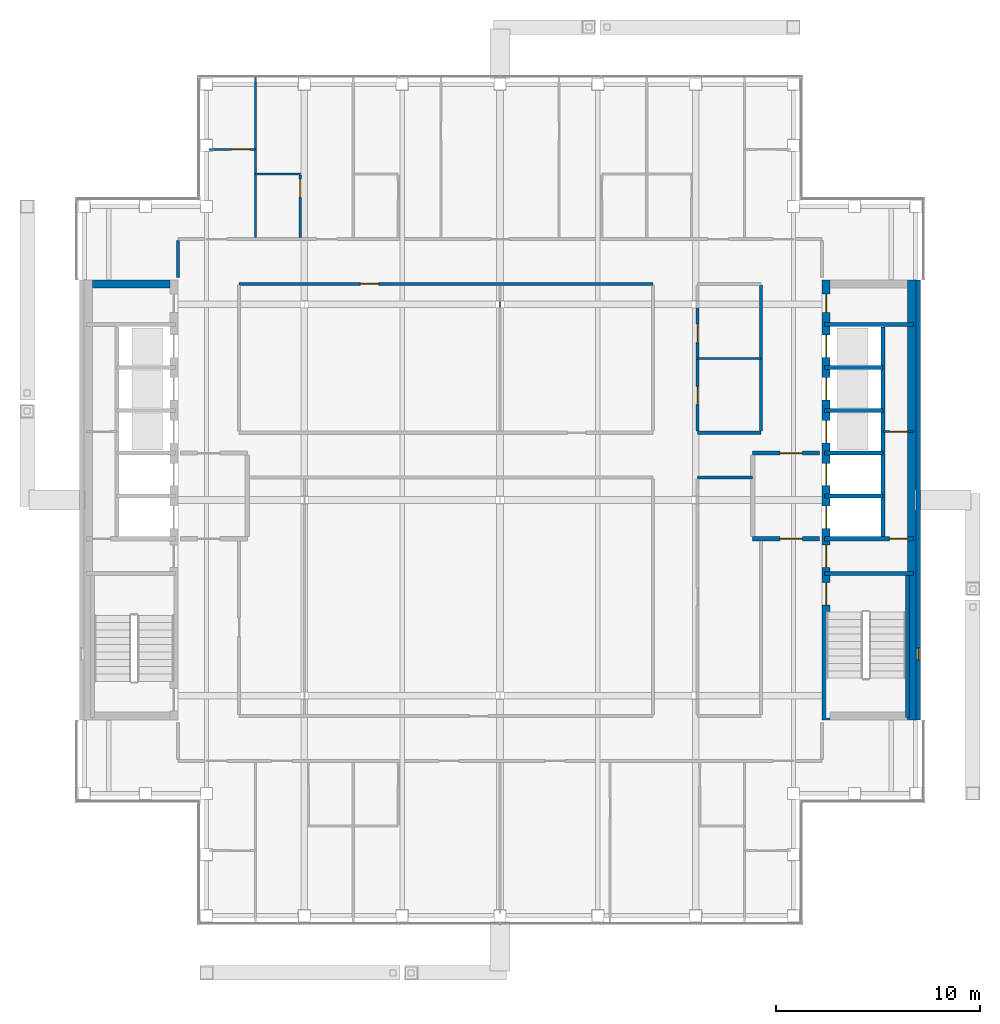
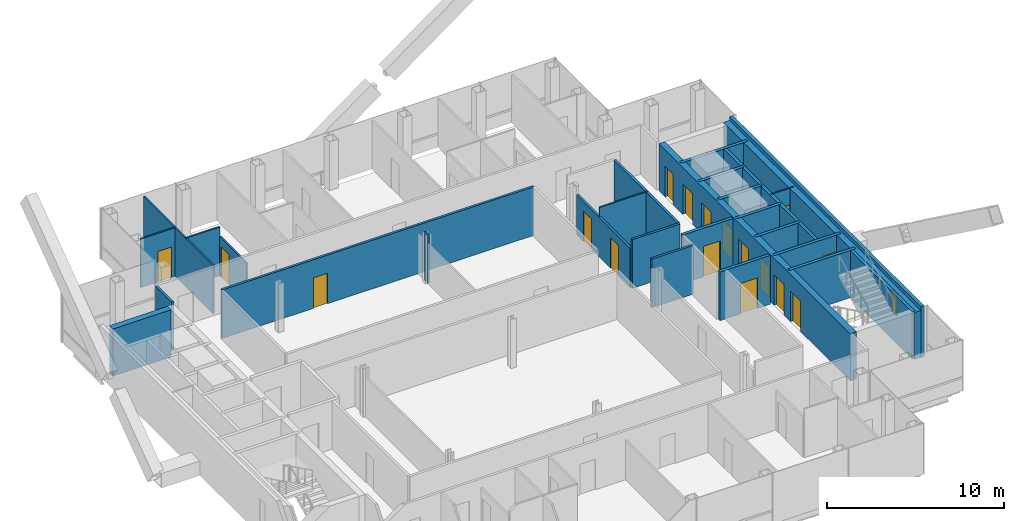
# One storey, part 12 of 15: 28 walls, 17 doors, 1 window, 18 openings.
"""IFC4 building model written with IfcOpenShell, lengths in metres."""

from ifc_helpers import new_model, si_unit, direction, frame, frame_2d, origin, place, context, subcontext, project, spatial, rectangle, extrude, material, layer, layer_set, type_object, element, fill, save


model = new_model("IFC4")

# Units and contexts
model_context = context("Model", 3, precision=1e-05, world=origin(), true_north=direction((0.0, 1.0)))
body_context = subcontext(model_context, "Body", "Model", "MODEL_VIEW")
ifc_project = project(units=[si_unit("LENGTHUNIT", "METRE"), si_unit("AREAUNIT", "SQUARE_METRE"), si_unit("VOLUMEUNIT", "CUBIC_METRE"), si_unit("PLANEANGLEUNIT", "RADIAN"), si_unit("MASSUNIT", "GRAM", prefix="KILO")], contexts=[model_context])

# Site, building, storey
site_placement = place(None, origin())
site = spatial("IfcSite", under=ifc_project, at=site_placement, CompositionType="ELEMENT")
building_placement = place(site_placement, origin())
building = spatial("IfcBuilding", under=site, at=building_placement, Name="Cobrizo Arcos Hotel Tower", CompositionType="ELEMENT")
storey_placement = place(building_placement, frame((0.0, 0.0, 244.5)))
storey = spatial("IfcBuildingStorey", under=building, at=storey_placement, Name="L64", CompositionType="ELEMENT", Elevation=244.5)

# Walls
ifc_material_1 = material(Name="Gypsum board partition")
ifc_layer_1 = layer(ifc_material_1, 0.14990234375)
ifc_layer_set_1 = layer_set([ifc_layer_1], Name="Corridor wall EI 60 150")
wall_type_1 = type_object("IfcWallType", Name="Corridor wall EI 60 150", PredefinedType="PARTITIONING", material=ifc_layer_set_1)
wall_1_placement = place(storey_placement, frame((9.699951171875, 1.10009765625, 0.0), z_axis=(0.0, 0.0, 1.0), x_axis=(1.0, 0.0, 0.0)))
element("IfcWall", 1, at=wall_1_placement, inside=storey, type_object=wall_type_1, Name="Partition 017", PredefinedType="PARTITIONING", context=body_context, shape_type="SweptSolid", body=[
    extrude(rectangle(XDim=2.699951171875, YDim=0.14990234375, at=frame_2d((1.35009765625, 0.0))), origin(), (0.0, 0.0, 1.0), 3.35009765625),
])
wall_2_placement = place(storey_placement, frame((9.699951171875, 3.300048828125, 0.0), z_axis=(0.0, 0.0, 1.0), x_axis=(1.0, 0.0, 0.0)))
element("IfcWall", 2, at=wall_2_placement, inside=storey, type_object=wall_type_1, Name="Partition 023", PredefinedType="PARTITIONING", context=body_context, shape_type="SweptSolid", body=[
    extrude(rectangle(XDim=3.10009765625, YDim=0.14990234375, at=frame_2d((1.550048828125, 0.0))), origin(), (0.0, 0.0, 1.0), 3.35009765625),
])

# Wall, opening, door
wall_3_placement = place(storey_placement, frame((-12.800048828125, 10.60009765625, 0.0), z_axis=(0.0, 0.0, 1.0), x_axis=(1.0, 0.0, 0.0)))
wall_3 = element("IfcWall", 3, at=wall_3_placement, inside=storey, type_object=wall_type_1, Name="Partition 033", PredefinedType="PARTITIONING", context=body_context, shape_type="SweptSolid", body=[
    extrude(rectangle(XDim=20.300048828125, YDim=0.14990234375, at=frame_2d((10.14990234375, 0.0))), origin(), (0.0, 0.0, 1.0), 3.35009765625),
])
opening_1_placement = place(wall_3_placement, frame((5.949951171875, 0.0, 0.0)))
opening_1 = element("IfcOpeningElement", 4, at=opening_1_placement, cuts=wall_3, Name="Opening RD-14", PredefinedType="OPENING", context=body_context, shape_type="SweptSolid", body=[
    extrude(rectangle(XDim=0.89990234375, YDim=2.10009765625, at=frame_2d((0.449951171875, 1.050048828125))), frame((0.0, 0.0869140625, 0.0), z_axis=(0.0, -1.0, 0.0), x_axis=(1.0, 0.0, 0.0)), (0.0, 0.0, 1.0), 0.173828125),
])
ifc_material_2 = material(Name="Timber door leaf", Category="wood")
door_type_1 = type_object("IfcDoorType", Name="Room door FD30 900x2100", OperationType="SINGLE_SWING_LEFT", PredefinedType="DOOR", material=ifc_material_2)
door_1_placement = place(opening_1_placement, origin())
door_1 = element("IfcDoor", 5, at=door_1_placement, inside=storey, type_object=door_type_1, Name="Door RD-14", OperationType="SINGLE_SWING_LEFT", OverallHeight=2.10009765625, OverallWidth=0.89990234375, PredefinedType="DOOR", context=body_context, shape_type="SweptSolid", body=[
    extrude(rectangle(XDim=0.89990234375, YDim=2.10009765625, at=frame_2d((0.449951171875, 1.050048828125))), frame((0.0, 0.02490234375, 0.0), z_axis=(0.0, -1.0, 0.0), x_axis=(1.0, 0.0, 0.0)), (0.0, 0.0, 1.0), 0.050048828125),
])
fill(opening_1, door_1)

# Wall
wall_4_placement = place(storey_placement, frame((-15.800048828125, 10.919921875, 0.0), z_axis=(0.0, 0.0, 1.0), x_axis=(0.0, 1.0, 0.0)))
element("IfcWall", 6, at=wall_4_placement, inside=storey, type_object=wall_type_1, Name="Partition 044", PredefinedType="PARTITIONING", context=body_context, shape_type="SweptSolid", body=[
    extrude(rectangle(XDim=1.80517578125, YDim=0.14990234375, at=frame_2d((0.902587890625, 0.0))), origin(), (0.0, 0.0, 1.0), 3.35009765625),
])

# Wall, openings, doors
wall_5_placement = place(storey_placement, frame((9.699951171875, 3.375, 0.0), z_axis=(0.0, 0.0, 1.0), x_axis=(0.0, 1.0, 0.0)))
wall_5 = element("IfcWall", 7, at=wall_5_placement, inside=storey, type_object=wall_type_1, Name="Partition 080", PredefinedType="PARTITIONING", context=body_context, shape_type="SweptSolid", body=[
    extrude(rectangle(XDim=6.041015625, YDim=0.14990234375, at=frame_2d((3.0205078125, 0.0))), origin(), (0.0, 0.0, 1.0), 2.72802734375),
])
opening_2_placement = place(wall_5_placement, frame((1.300048828125, 0.0, 0.0)))
opening_2 = element("IfcOpeningElement", 8, at=opening_2_placement, cuts=wall_5, Name="Opening ED-12", PredefinedType="OPENING", context=body_context, shape_type="SweptSolid", body=[
    extrude(rectangle(XDim=0.89990234375, YDim=2.10009765625, at=frame_2d((0.449951171875, 1.050048828125))), frame((0.0, 0.0869140625, 0.0), z_axis=(0.0, -1.0, 0.0), x_axis=(1.0, 0.0, 0.0)), (0.0, 0.0, 1.0), 0.173828125),
])
opening_3_placement = place(wall_5_placement, frame((4.35009765625, 0.0, 0.0)))
opening_3 = element("IfcOpeningElement", 9, at=opening_3_placement, cuts=wall_5, Name="Opening ED-13", PredefinedType="OPENING", context=body_context, shape_type="SweptSolid", body=[
    extrude(rectangle(XDim=0.89990234375, YDim=2.10009765625, at=frame_2d((0.449951171875, 1.050048828125))), frame((0.0, 0.0869140625, 0.0), z_axis=(0.0, -1.0, 0.0), x_axis=(1.0, 0.0, 0.0)), (0.0, 0.0, 1.0), 0.173828125),
])
door_type_2 = type_object("IfcDoorType", Name="En-suite door 900x2100", OperationType="SINGLE_SWING_LEFT", PredefinedType="DOOR", material=ifc_material_2)
door_2_placement = place(opening_2_placement, origin())
door_2 = element("IfcDoor", 10, at=door_2_placement, inside=storey, type_object=door_type_2, Name="Door ED-12", OperationType="SINGLE_SWING_LEFT", OverallHeight=2.10009765625, OverallWidth=0.89990234375, PredefinedType="DOOR", context=body_context, shape_type="SweptSolid", body=[
    extrude(rectangle(XDim=0.89990234375, YDim=2.10009765625, at=frame_2d((0.449951171875, 1.050048828125))), frame((0.0, 0.02490234375, 0.0), z_axis=(0.0, -1.0, 0.0), x_axis=(1.0, 0.0, 0.0)), (0.0, 0.0, 1.0), 0.050048828125),
])
fill(opening_2, door_2)
door_3_placement = place(opening_3_placement, origin())
door_3 = element("IfcDoor", 11, at=door_3_placement, inside=storey, type_object=door_type_2, Name="Door ED-13", OperationType="SINGLE_SWING_RIGHT", OverallHeight=2.10009765625, OverallWidth=0.89990234375, PredefinedType="DOOR", context=body_context, shape_type="SweptSolid", body=[
    extrude(rectangle(XDim=0.89990234375, YDim=2.10009765625, at=frame_2d((0.449951171875, 1.050048828125))), frame((0.0, 0.02490234375, 0.0), z_axis=(0.0, -1.0, 0.0), x_axis=(1.0, 0.0, 0.0)), (0.0, 0.0, 1.0), 0.050048828125),
])
fill(opening_3, door_3)

# Wall
wall_6_placement = place(storey_placement, frame((12.800048828125, 3.375, 0.0), z_axis=(0.0, 0.0, 1.0), x_axis=(0.0, 1.0, 0.0)))
element("IfcWall", 12, at=wall_6_placement, inside=storey, type_object=wall_type_1, Name="Partition 088", PredefinedType="PARTITIONING", context=body_context, shape_type="SweptSolid", body=[
    extrude(rectangle(XDim=7.175048828125, YDim=0.14990234375, at=frame_2d((3.58740234375, 0.0))), origin(), (0.0, 0.0, 1.0), 3.35009765625),
])

# Wall, opening, window
ifc_material_3 = material(Name="Aluminium composite panel pale metal", Category="aluminium")
ifc_layer_2 = layer(ifc_material_3, 0.22509765625)
ifc_layer_set_2 = layer_set([ifc_layer_2], Name="EW-1 insulated panel wall 225")
wall_type_2 = type_object("IfcWallType", Name="EW-1 insulated panel wall 225", PredefinedType="SOLIDWALL", material=ifc_layer_set_2)
wall_7_placement = place(storey_placement, frame((20.512451171875, -10.800048828125, 0.0), z_axis=(0.0, 0.0, 1.0), x_axis=(0.0, 1.0, 0.0)))
wall_7 = element("IfcWall", 13, at=wall_7_placement, inside=storey, type_object=wall_type_2, Name="Core face wall L64 E", PredefinedType="SOLIDWALL", context=body_context, shape_type="SweptSolid", body=[
    extrude(rectangle(XDim=21.60009765625, YDim=0.22509765625, at=frame_2d((10.800048828125, 0.0))), origin(), (0.0, 0.0, 1.0), 3.5),
])
opening_4_placement = place(wall_7_placement, frame((2.949951171875, 0.0, 1.0)))
opening_4 = element("IfcOpeningElement", 14, at=opening_4_placement, cuts=wall_7, Name="Opening W-147", PredefinedType="OPENING", context=body_context, shape_type="SweptSolid", body=[
    extrude(rectangle(XDim=0.60009765625, YDim=1.5, at=frame_2d((0.300048828125, 0.75))), frame((0.0, 0.12451171875, 0.0), z_axis=(0.0, -1.0, 0.0), x_axis=(1.0, 0.0, 0.0)), (0.0, 0.0, 1.0), 0.2490234375),
])
ifc_material_4 = material(Name="Aluminium 6063-T6 and clear laminated glass", Category="aluminium")
window_type = type_object("IfcWindowType", Name="W-C1 core stair slot window 600x1500", PartitioningType="SINGLE_PANEL", PredefinedType="WINDOW", material=ifc_material_4)
window_placement = place(opening_4_placement, origin())
window = element("IfcWindow", 15, at=window_placement, inside=storey, type_object=window_type, Name="Core face wall L64 E window W-147", OverallHeight=1.5, OverallWidth=0.60009765625, PartitioningType="SINGLE_PANEL", PredefinedType="WINDOW", context=body_context, shape_type="SweptSolid", body=[
    extrude(rectangle(XDim=0.60009765625, YDim=1.5, at=frame_2d((0.300048828125, 0.75))), frame((0.0, -0.0224609375, 0.0), z_axis=(0.0, -1.0, 0.0), x_axis=(1.0, 0.0, 0.0)), (0.0, 0.0, 1.0), 0.06005859375),
])
fill(opening_4, window)

# Wall, opening, door
ifc_layer_3 = layer(ifc_material_1, 0.10009765625)
ifc_layer_set_3 = layer_set([ifc_layer_3], Name="Partition EI 30 100")
wall_type_3 = type_object("IfcWallType", Name="Partition EI 30 100", PredefinedType="PARTITIONING", material=ifc_layer_set_3)
wall_8_placement = place(storey_placement, frame((18.800048828125, 3.35009765625, 0.0), z_axis=(0.0, 0.0, 1.0), x_axis=(1.0, 0.0, 0.0)))
wall_8 = element("IfcWall", 16, at=wall_8_placement, inside=storey, type_object=wall_type_3, Name="Partition 025", PredefinedType="PARTITIONING", context=body_context, shape_type="SweptSolid", body=[
    extrude(rectangle(XDim=1.47998046875, YDim=0.10009765625, at=frame_2d((0.739990234375, 0.0))), origin(), (0.0, 0.0, 1.0), 3.25),
])
opening_5_placement = place(wall_8_placement, frame((0.300048828125, 0.0, 0.0)))
opening_5 = element("IfcOpeningElement", 17, at=opening_5_placement, cuts=wall_8, Name="Opening RD-06", PredefinedType="OPENING", context=body_context, shape_type="SweptSolid", body=[
    extrude(rectangle(XDim=0.89990234375, YDim=2.10009765625, at=frame_2d((0.449951171875, 1.050048828125))), frame((0.0, 0.06201171875, 0.0), z_axis=(0.0, -1.0, 0.0), x_axis=(1.0, 0.0, 0.0)), (0.0, 0.0, 1.0), 0.1240234375),
])
door_4_placement = place(opening_5_placement, origin())
door_4 = element("IfcDoor", 18, at=door_4_placement, inside=storey, type_object=door_type_1, Name="Door RD-06", OperationType="SINGLE_SWING_RIGHT", OverallHeight=2.10009765625, OverallWidth=0.89990234375, PredefinedType="DOOR", context=body_context, shape_type="SweptSolid", body=[
    extrude(rectangle(XDim=0.89990234375, YDim=2.10009765625, at=frame_2d((0.449951171875, 1.050048828125))), frame((0.0, 0.02490234375, 0.0), z_axis=(0.0, -1.0, 0.0), x_axis=(1.0, 0.0, 0.0)), (0.0, 0.0, 1.0), 0.050048828125),
])
fill(opening_5, door_4)

# Walls
wall_9_placement = place(storey_placement, frame((9.699951171875, 6.949951171875, 0.0), z_axis=(0.0, 0.0, 1.0), x_axis=(1.0, 0.0, 0.0)))
element("IfcWall", 19, at=wall_9_placement, inside=storey, type_object=wall_type_3, Name="Partition 030", PredefinedType="PARTITIONING", context=body_context, shape_type="SweptSolid", body=[
    extrude(rectangle(XDim=3.10009765625, YDim=0.10009765625, at=frame_2d((1.550048828125, 0.0))), origin(), (0.0, 0.0, 1.0), 3.35009765625),
])
wall_10_placement = place(storey_placement, frame((-12.0, 16.0, 0.0), z_axis=(0.0, 0.0, 1.0), x_axis=(1.0, 0.0, 0.0)))
element("IfcWall", 20, at=wall_10_placement, inside=storey, type_object=wall_type_3, Name="Partition 036", PredefinedType="PARTITIONING", context=body_context, shape_type="SweptSolid", body=[
    extrude(rectangle(XDim=2.199951171875, YDim=0.10009765625, at=frame_2d((1.10009765625, 0.0))), origin(), (0.0, 0.0, 1.0), 3.35009765625),
])

# Wall, opening, door
wall_11_placement = place(storey_placement, frame((-14.280029296875, 17.199951171875, 0.0), z_axis=(0.0, 0.0, 1.0), x_axis=(1.0, 0.0, 0.0)))
wall_11 = element("IfcWall", 21, at=wall_11_placement, inside=storey, type_object=wall_type_3, Name="Partition 039", PredefinedType="PARTITIONING", context=body_context, shape_type="SweptSolid", body=[
    extrude(rectangle(XDim=2.280029296875, YDim=0.10009765625, at=frame_2d((1.14013671875, 0.0))), origin(), (0.0, 0.0, 1.0), 3.35009765625),
])
opening_6_placement = place(wall_11_placement, frame((1.110107421875, 0.0, 0.0)))
opening_6 = element("IfcOpeningElement", 22, at=opening_6_placement, cuts=wall_11, Name="Opening ED-09", PredefinedType="OPENING", context=body_context, shape_type="SweptSolid", body=[
    extrude(rectangle(XDim=0.89990234375, YDim=2.10009765625, at=frame_2d((0.449951171875, 1.050048828125))), frame((0.0, 0.06201171875, 0.0), z_axis=(0.0, -1.0, 0.0), x_axis=(1.0, 0.0, 0.0)), (0.0, 0.0, 1.0), 0.1240234375),
])
door_5_placement = place(opening_6_placement, origin())
door_5 = element("IfcDoor", 23, at=door_5_placement, inside=storey, type_object=door_type_2, Name="Door ED-09", OperationType="SINGLE_SWING_LEFT", OverallHeight=2.10009765625, OverallWidth=0.89990234375, PredefinedType="DOOR", context=body_context, shape_type="SweptSolid", body=[
    extrude(rectangle(XDim=0.89990234375, YDim=2.10009765625, at=frame_2d((0.449951171875, 1.050048828125))), frame((0.0, 0.02490234375, 0.0), z_axis=(0.0, -1.0, 0.0), x_axis=(1.0, 0.0, 0.0)), (0.0, 0.0, 1.0), 0.050048828125),
])
fill(opening_6, door_5)

# Wall
wall_12_placement = place(storey_placement, frame((-12.0, 12.875, 0.0), z_axis=(0.0, 0.0, 1.0), x_axis=(0.0, 1.0, 0.0)))
element("IfcWall", 24, at=wall_12_placement, inside=storey, type_object=wall_type_3, Name="Partition 049", PredefinedType="PARTITIONING", context=body_context, shape_type="SweptSolid", body=[
    extrude(rectangle(XDim=7.85498046875, YDim=0.10009765625, at=frame_2d((3.927490234375, 0.0))), origin(), (0.0, 0.0, 1.0), 3.35009765625),
])

# Wall, opening, door
wall_13_placement = place(storey_placement, frame((-9.800048828125, 12.875, 0.0), z_axis=(0.0, 0.0, 1.0), x_axis=(0.0, 1.0, 0.0)))
wall_13 = element("IfcWall", 25, at=wall_13_placement, inside=storey, type_object=wall_type_3, Name="Partition 050", PredefinedType="PARTITIONING", context=body_context, shape_type="SweptSolid", body=[
    extrude(rectangle(XDim=3.074951171875, YDim=0.10009765625, at=frame_2d((1.53759765625, 0.0))), origin(), (0.0, 0.0, 1.0), 2.72802734375),
])
opening_7_placement = place(wall_13_placement, frame((1.970947265625, 0.0, 0.0)))
opening_7 = element("IfcOpeningElement", 26, at=opening_7_placement, cuts=wall_13, Name="Opening ED-01", PredefinedType="OPENING", context=body_context, shape_type="SweptSolid", body=[
    extrude(rectangle(XDim=0.89990234375, YDim=2.10009765625, at=frame_2d((0.449951171875, 1.050048828125))), frame((0.0, 0.06201171875, 0.0), z_axis=(0.0, -1.0, 0.0), x_axis=(1.0, 0.0, 0.0)), (0.0, 0.0, 1.0), 0.1240234375),
])
door_6_placement = place(opening_7_placement, origin())
door_6 = element("IfcDoor", 27, at=door_6_placement, inside=storey, type_object=door_type_2, Name="Door ED-01", OperationType="SINGLE_SWING_LEFT", OverallHeight=2.10009765625, OverallWidth=0.89990234375, PredefinedType="DOOR", context=body_context, shape_type="SweptSolid", body=[
    extrude(rectangle(XDim=0.89990234375, YDim=2.10009765625, at=frame_2d((0.449951171875, 1.050048828125))), frame((0.0, 0.02490234375, 0.0), z_axis=(0.0, -1.0, 0.0), x_axis=(1.0, 0.0, 0.0)), (0.0, 0.0, 1.0), 0.050048828125),
])
fill(opening_7, door_6)

# Wall
wall_14_placement = place(storey_placement, frame((0.0, 9.416015625, 0.0), z_axis=(0.0, 0.0, 1.0), x_axis=(0.0, 1.0, 0.0)))
element("IfcWall", 28, at=wall_14_placement, inside=storey, type_object=wall_type_3, Name="Partition 065", PredefinedType="PARTITIONING", context=body_context, shape_type="SweptSolid", body=[
    extrude(rectangle(XDim=0.367919921875, YDim=0.10009765625, at=frame_2d((0.18408203125, 0.0))), origin(), (0.0, 0.0, 1.0), 3.35009765625),
])

# Wall, openings, doors
ifc_material_5 = material(Name="Concrete f'c 40 MPa", Category="concrete")
ifc_layer_4 = layer(ifc_material_5, 0.39990234375)
ifc_layer_set_4 = layer_set([ifc_layer_4], Name="RC core wall 400 f'c 40")
wall_type_4 = type_object("IfcWallType", Name="RC core wall 400 f'c 40", PredefinedType="SHEAR", material=ifc_layer_set_4)
wall_15_placement = place(storey_placement, frame((16.0, -10.800048828125, 0.0), z_axis=(0.0, 0.0, 1.0), x_axis=(0.0, 1.0, 0.0)))
wall_15 = element("IfcWall", 29, at=wall_15_placement, inside=storey, type_object=wall_type_4, Name="Core wall CW4, east core, inner face, L64", PredefinedType="SHEAR", context=body_context, shape_type="SweptSolid", body=[
    extrude(rectangle(XDim=21.60009765625, YDim=0.39990234375, at=frame_2d((10.800048828125, 0.0))), origin(), (0.0, 0.0, 1.0), 3.25),
])
opening_8_placement = place(wall_15_placement, frame((9.39990234375, 0.0, 0.0)))
opening_8 = element("IfcOpeningElement", 30, at=opening_8_placement, cuts=wall_15, Name="Opening LD-06", PredefinedType="OPENING", context=body_context, shape_type="SweptSolid", body=[
    extrude(rectangle(XDim=1.10009765625, YDim=2.10009765625, at=frame_2d((0.550048828125, 1.050048828125))), frame((0.0, 0.2119140625, 0.0), z_axis=(0.0, -1.0, 0.0), x_axis=(1.0, 0.0, 0.0)), (0.0, 0.0, 1.0), 0.423828125),
])
opening_9_placement = place(wall_15_placement, frame((11.5, 0.0, 0.0)))
opening_9 = element("IfcOpeningElement", 31, at=opening_9_placement, cuts=wall_15, Name="Opening LD-07", PredefinedType="OPENING", context=body_context, shape_type="SweptSolid", body=[
    extrude(rectangle(XDim=1.10009765625, YDim=2.10009765625, at=frame_2d((0.550048828125, 1.050048828125))), frame((0.0, 0.2119140625, 0.0), z_axis=(0.0, -1.0, 0.0), x_axis=(1.0, 0.0, 0.0)), (0.0, 0.0, 1.0), 0.423828125),
])
opening_10_placement = place(wall_15_placement, frame((13.60009765625, 0.0, 0.0)))
opening_10 = element("IfcOpeningElement", 32, at=opening_10_placement, cuts=wall_15, Name="Opening LD-08", PredefinedType="OPENING", context=body_context, shape_type="SweptSolid", body=[
    extrude(rectangle(XDim=1.10009765625, YDim=2.10009765625, at=frame_2d((0.550048828125, 1.050048828125))), frame((0.0, 0.2119140625, 0.0), z_axis=(0.0, -1.0, 0.0), x_axis=(1.0, 0.0, 0.0)), (0.0, 0.0, 1.0), 0.423828125),
])
opening_11_placement = place(wall_15_placement, frame((15.699951171875, 0.0, 0.0)))
opening_11 = element("IfcOpeningElement", 33, at=opening_11_placement, cuts=wall_15, Name="Opening LD-09", PredefinedType="OPENING", context=body_context, shape_type="SweptSolid", body=[
    extrude(rectangle(XDim=1.10009765625, YDim=2.10009765625, at=frame_2d((0.550048828125, 1.050048828125))), frame((0.0, 0.2119140625, 0.0), z_axis=(0.0, -1.0, 0.0), x_axis=(1.0, 0.0, 0.0)), (0.0, 0.0, 1.0), 0.423828125),
])
opening_12_placement = place(wall_15_placement, frame((17.800048828125, 0.0, 0.0)))
opening_12 = element("IfcOpeningElement", 34, at=opening_12_placement, cuts=wall_15, Name="Opening LD-10", PredefinedType="OPENING", context=body_context, shape_type="SweptSolid", body=[
    extrude(rectangle(XDim=1.10009765625, YDim=2.10009765625, at=frame_2d((0.550048828125, 1.050048828125))), frame((0.0, 0.2119140625, 0.0), z_axis=(0.0, -1.0, 0.0), x_axis=(1.0, 0.0, 0.0)), (0.0, 0.0, 1.0), 0.423828125),
])
opening_13_placement = place(wall_15_placement, frame((5.64208984375, 0.0, 0.0)))
opening_13 = element("IfcOpeningElement", 35, at=opening_13_placement, cuts=wall_15, Name="Opening SD-02", PredefinedType="OPENING", context=body_context, shape_type="SweptSolid", body=[
    extrude(rectangle(XDim=1.10009765625, YDim=2.10009765625, at=frame_2d((0.550048828125, 1.050048828125))), frame((0.0, 0.2119140625, 0.0), z_axis=(0.0, -1.0, 0.0), x_axis=(1.0, 0.0, 0.0)), (0.0, 0.0, 1.0), 0.423828125),
])
opening_14_placement = place(wall_15_placement, frame((7.5, 0.0, 0.0)))
opening_14 = element("IfcOpeningElement", 36, at=opening_14_placement, cuts=wall_15, Name="Opening FD-04", PredefinedType="OPENING", context=body_context, shape_type="SweptSolid", body=[
    extrude(rectangle(XDim=1.10009765625, YDim=2.10009765625, at=frame_2d((0.550048828125, 1.050048828125))), frame((0.0, 0.2119140625, 0.0), z_axis=(0.0, -1.0, 0.0), x_axis=(1.0, 0.0, 0.0)), (0.0, 0.0, 1.0), 0.423828125),
])
opening_15_placement = place(wall_15_placement, frame((20.0, 0.0, 0.0)))
opening_15 = element("IfcOpeningElement", 37, at=opening_15_placement, cuts=wall_15, Name="Opening RD-04", PredefinedType="OPENING", context=body_context, shape_type="SweptSolid", body=[
    extrude(rectangle(XDim=0.89990234375, YDim=2.10009765625, at=frame_2d((0.449951171875, 1.050048828125))), frame((0.0, 0.2119140625, 0.0), z_axis=(0.0, -1.0, 0.0), x_axis=(1.0, 0.0, 0.0)), (0.0, 0.0, 1.0), 0.423828125),
])
ifc_material_6 = material(Name="Steel door leaf", Category="steel")
door_type_3 = type_object("IfcDoorType", Name="Fire door FD60 1100x2100", OperationType="SINGLE_SWING_LEFT", PredefinedType="DOOR", material=ifc_material_6)
door_7_placement = place(opening_14_placement, origin())
door_7 = element("IfcDoor", 38, at=door_7_placement, inside=storey, type_object=door_type_3, Name="Door FD-04", OperationType="SINGLE_SWING_RIGHT", OverallHeight=2.10009765625, OverallWidth=1.10009765625, PredefinedType="DOOR", context=body_context, shape_type="SweptSolid", body=[
    extrude(rectangle(XDim=1.10009765625, YDim=2.10009765625, at=frame_2d((0.550048828125, 1.050048828125))), frame((0.0, 0.02490234375, 0.0), z_axis=(0.0, -1.0, 0.0), x_axis=(1.0, 0.0, 0.0)), (0.0, 0.0, 1.0), 0.050048828125),
])
fill(opening_14, door_7)
door_type_4 = type_object("IfcDoorType", Name="Lift landing door 1100x2100", OperationType="SLIDING_TO_LEFT", PredefinedType="DOOR", material=ifc_material_6)
door_8_placement = place(opening_8_placement, origin())
door_8 = element("IfcDoor", 39, at=door_8_placement, inside=storey, type_object=door_type_4, Name="Lift landing door LD-06", OperationType="SLIDING_TO_LEFT", OverallHeight=2.10009765625, OverallWidth=1.10009765625, PredefinedType="DOOR", context=body_context, shape_type="SweptSolid", body=[
    extrude(rectangle(XDim=1.10009765625, YDim=2.10009765625, at=frame_2d((0.550048828125, 1.050048828125))), frame((0.0, 0.02490234375, 0.0), z_axis=(0.0, -1.0, 0.0), x_axis=(1.0, 0.0, 0.0)), (0.0, 0.0, 1.0), 0.050048828125),
])
fill(opening_8, door_8)
door_9_placement = place(opening_9_placement, origin())
door_9 = element("IfcDoor", 40, at=door_9_placement, inside=storey, type_object=door_type_4, Name="Lift landing door LD-07", OperationType="SLIDING_TO_LEFT", OverallHeight=2.10009765625, OverallWidth=1.10009765625, PredefinedType="DOOR", context=body_context, shape_type="SweptSolid", body=[
    extrude(rectangle(XDim=1.10009765625, YDim=2.10009765625, at=frame_2d((0.550048828125, 1.050048828125))), frame((0.0, 0.02490234375, 0.0), z_axis=(0.0, -1.0, 0.0), x_axis=(1.0, 0.0, 0.0)), (0.0, 0.0, 1.0), 0.050048828125),
])
fill(opening_9, door_9)
door_10_placement = place(opening_10_placement, origin())
door_10 = element("IfcDoor", 41, at=door_10_placement, inside=storey, type_object=door_type_4, Name="Lift landing door LD-08", OperationType="SLIDING_TO_LEFT", OverallHeight=2.10009765625, OverallWidth=1.10009765625, PredefinedType="DOOR", context=body_context, shape_type="SweptSolid", body=[
    extrude(rectangle(XDim=1.10009765625, YDim=2.10009765625, at=frame_2d((0.550048828125, 1.050048828125))), frame((0.0, 0.02490234375, 0.0), z_axis=(0.0, -1.0, 0.0), x_axis=(1.0, 0.0, 0.0)), (0.0, 0.0, 1.0), 0.050048828125),
])
fill(opening_10, door_10)
door_11_placement = place(opening_11_placement, origin())
door_11 = element("IfcDoor", 42, at=door_11_placement, inside=storey, type_object=door_type_4, Name="Lift landing door LD-09", OperationType="SLIDING_TO_LEFT", OverallHeight=2.10009765625, OverallWidth=1.10009765625, PredefinedType="DOOR", context=body_context, shape_type="SweptSolid", body=[
    extrude(rectangle(XDim=1.10009765625, YDim=2.10009765625, at=frame_2d((0.550048828125, 1.050048828125))), frame((0.0, 0.02490234375, 0.0), z_axis=(0.0, -1.0, 0.0), x_axis=(1.0, 0.0, 0.0)), (0.0, 0.0, 1.0), 0.050048828125),
])
fill(opening_11, door_11)
door_12_placement = place(opening_12_placement, origin())
door_12 = element("IfcDoor", 43, at=door_12_placement, inside=storey, type_object=door_type_4, Name="Lift landing door LD-10", OperationType="SLIDING_TO_LEFT", OverallHeight=2.10009765625, OverallWidth=1.10009765625, PredefinedType="DOOR", context=body_context, shape_type="SweptSolid", body=[
    extrude(rectangle(XDim=1.10009765625, YDim=2.10009765625, at=frame_2d((0.550048828125, 1.050048828125))), frame((0.0, 0.02490234375, 0.0), z_axis=(0.0, -1.0, 0.0), x_axis=(1.0, 0.0, 0.0)), (0.0, 0.0, 1.0), 0.050048828125),
])
fill(opening_12, door_12)
door_13_placement = place(opening_15_placement, origin())
door_13 = element("IfcDoor", 44, at=door_13_placement, inside=storey, type_object=door_type_1, Name="Door RD-04", OperationType="SINGLE_SWING_LEFT", OverallHeight=2.10009765625, OverallWidth=0.89990234375, PredefinedType="DOOR", context=body_context, shape_type="SweptSolid", body=[
    extrude(rectangle(XDim=0.89990234375, YDim=2.10009765625, at=frame_2d((0.449951171875, 1.050048828125))), frame((0.0, 0.02490234375, 0.0), z_axis=(0.0, -1.0, 0.0), x_axis=(1.0, 0.0, 0.0)), (0.0, 0.0, 1.0), 0.050048828125),
])
fill(opening_15, door_13)
door_type_5 = type_object("IfcDoorType", Name="Stair door FD60S 1100x2100", OperationType="SINGLE_SWING_LEFT", PredefinedType="DOOR", material=ifc_material_6)
door_14_placement = place(opening_13_placement, origin())
door_14 = element("IfcDoor", 45, at=door_14_placement, inside=storey, type_object=door_type_5, Name="Door SD-02", OperationType="SINGLE_SWING_RIGHT", OverallHeight=2.10009765625, OverallWidth=1.10009765625, PredefinedType="DOOR", context=body_context, shape_type="SweptSolid", body=[
    extrude(rectangle(XDim=1.10009765625, YDim=2.10009765625, at=frame_2d((0.550048828125, 1.050048828125))), frame((0.0, 0.02490234375, 0.0), z_axis=(0.0, -1.0, 0.0), x_axis=(1.0, 0.0, 0.0)), (0.0, 0.0, 1.0), 0.050048828125),
])
fill(opening_13, door_14)

# Walls
wall_16_placement = place(storey_placement, frame((20.199951171875, -10.800048828125, 0.0), z_axis=(0.0, 0.0, 1.0), x_axis=(0.0, 1.0, 0.0)))
element("IfcWall", 46, at=wall_16_placement, inside=storey, type_object=wall_type_4, Name="Core wall CW4, east core, outer face, L64", PredefinedType="SHEAR", context=body_context, shape_type="SweptSolid", body=[
    extrude(rectangle(XDim=21.60009765625, YDim=0.39990234375, at=frame_2d((10.800048828125, 0.0))), origin(), (0.0, 0.0, 1.0), 3.25),
])
wall_17_placement = place(storey_placement, frame((-20.0, 10.60009765625, 0.0), z_axis=(0.0, 0.0, 1.0), x_axis=(1.0, 0.0, 0.0)))
element("IfcWall", 47, at=wall_17_placement, inside=storey, type_object=wall_type_4, Name="Core wall CW4, west core, north end, L64", PredefinedType="SHEAR", context=body_context, shape_type="SweptSolid", body=[
    extrude(rectangle(XDim=3.800048828125, YDim=0.39990234375, at=frame_2d((1.89990234375, 0.0))), origin(), (0.0, 0.0, 1.0), 3.25),
])

# Wall, opening, door
ifc_layer_5 = layer(ifc_material_1, 0.199951171875)
ifc_layer_set_5 = layer_set([ifc_layer_5], Name="Shaft wall EI 120 200")
wall_type_5 = type_object("IfcWallType", Name="Shaft wall EI 120 200", PredefinedType="PARTITIONING", material=ifc_layer_set_5)
wall_18_placement = place(storey_placement, frame((12.39990234375, -1.89990234375, 0.0), z_axis=(0.0, 0.0, 1.0), x_axis=(1.0, 0.0, 0.0)))
wall_18 = element("IfcWall", 48, at=wall_18_placement, inside=storey, type_object=wall_type_5, Name="Partition 012", PredefinedType="PARTITIONING", context=body_context, shape_type="SweptSolid", body=[
    extrude(rectangle(XDim=3.280029296875, YDim=0.199951171875, at=frame_2d((1.64013671875, 0.0))), origin(), (0.0, 0.0, 1.0), 3.35009765625),
])
opening_16_placement = place(wall_18_placement, frame((1.340087890625, 0.0, 0.0)))
opening_16 = element("IfcOpeningElement", 49, at=opening_16_placement, cuts=wall_18, Name="Opening FD-05", PredefinedType="OPENING", context=body_context, shape_type="SweptSolid", body=[
    extrude(rectangle(XDim=1.10009765625, YDim=2.10009765625, at=frame_2d((0.550048828125, 1.050048828125))), frame((0.0, 0.112060546875, 0.0), z_axis=(0.0, -1.0, 0.0), x_axis=(1.0, 0.0, 0.0)), (0.0, 0.0, 1.0), 0.223876953125),
])
door_15_placement = place(opening_16_placement, origin())
door_15 = element("IfcDoor", 50, at=door_15_placement, inside=storey, type_object=door_type_3, Name="Door FD-05", OperationType="SINGLE_SWING_LEFT", OverallHeight=2.10009765625, OverallWidth=1.10009765625, PredefinedType="DOOR", context=body_context, shape_type="SweptSolid", body=[
    extrude(rectangle(XDim=1.10009765625, YDim=2.10009765625, at=frame_2d((0.550048828125, 1.050048828125))), frame((0.0, 0.02490234375, 0.0), z_axis=(0.0, -1.0, 0.0), x_axis=(1.0, 0.0, 0.0)), (0.0, 0.0, 1.0), 0.050048828125),
])
fill(opening_16, door_15)

wall_19_placement = place(storey_placement, frame((15.919921875, -1.89990234375, 0.0), z_axis=(0.0, 0.0, 1.0), x_axis=(1.0, 0.0, 0.0)))
wall_19 = element("IfcWall", 51, at=wall_19_placement, inside=storey, type_object=wall_type_5, Name="Partition 013", PredefinedType="PARTITIONING", context=body_context, shape_type="SweptSolid", body=[
    extrude(rectangle(XDim=4.360107421875, YDim=0.199951171875, at=frame_2d((2.18017578125, 0.0))), origin(), (0.0, 0.0, 1.0), 3.25),
])
opening_17_placement = place(wall_19_placement, frame((3.179931640625, 0.0, 0.0)))
opening_17 = element("IfcOpeningElement", 52, at=opening_17_placement, cuts=wall_19, Name="Opening RD-05", PredefinedType="OPENING", context=body_context, shape_type="SweptSolid", body=[
    extrude(rectangle(XDim=0.89990234375, YDim=2.10009765625, at=frame_2d((0.449951171875, 1.050048828125))), frame((0.0, 0.112060546875, 0.0), z_axis=(0.0, -1.0, 0.0), x_axis=(1.0, 0.0, 0.0)), (0.0, 0.0, 1.0), 0.223876953125),
])
door_16_placement = place(opening_17_placement, origin())
door_16 = element("IfcDoor", 53, at=door_16_placement, inside=storey, type_object=door_type_1, Name="Door RD-05", OperationType="SINGLE_SWING_RIGHT", OverallHeight=2.10009765625, OverallWidth=0.89990234375, PredefinedType="DOOR", context=body_context, shape_type="SweptSolid", body=[
    extrude(rectangle(XDim=0.89990234375, YDim=2.10009765625, at=frame_2d((0.449951171875, 1.050048828125))), frame((0.0, 0.02490234375, 0.0), z_axis=(0.0, -1.0, 0.0), x_axis=(1.0, 0.0, 0.0)), (0.0, 0.0, 1.0), 0.050048828125),
])
fill(opening_17, door_16)

# Wall
wall_20_placement = place(storey_placement, frame((15.919921875, 0.199951171875, 0.0), z_axis=(0.0, 0.0, 1.0), x_axis=(1.0, 0.0, 0.0)))
element("IfcWall", 54, at=wall_20_placement, inside=storey, type_object=wall_type_5, Name="Partition 015", PredefinedType="PARTITIONING", context=body_context, shape_type="SweptSolid", body=[
    extrude(rectangle(XDim=2.880126953125, YDim=0.199951171875, at=frame_2d((1.43994140625, 0.0))), origin(), (0.0, 0.0, 1.0), 3.25),
])

# Wall, opening, door
wall_21_placement = place(storey_placement, frame((12.39990234375, 2.300048828125, 0.0), z_axis=(0.0, 0.0, 1.0), x_axis=(1.0, 0.0, 0.0)))
wall_21 = element("IfcWall", 55, at=wall_21_placement, inside=storey, type_object=wall_type_5, Name="Partition 020", PredefinedType="PARTITIONING", context=body_context, shape_type="SweptSolid", body=[
    extrude(rectangle(XDim=3.280029296875, YDim=0.199951171875, at=frame_2d((1.64013671875, 0.0))), origin(), (0.0, 0.0, 1.0), 3.35009765625),
])
opening_18_placement = place(wall_21_placement, frame((1.340087890625, 0.0, 0.0)))
opening_18 = element("IfcOpeningElement", 56, at=opening_18_placement, cuts=wall_21, Name="Opening FD-06", PredefinedType="OPENING", context=body_context, shape_type="SweptSolid", body=[
    extrude(rectangle(XDim=1.10009765625, YDim=2.10009765625, at=frame_2d((0.550048828125, 1.050048828125))), frame((0.0, 0.112060546875, 0.0), z_axis=(0.0, -1.0, 0.0), x_axis=(1.0, 0.0, 0.0)), (0.0, 0.0, 1.0), 0.223876953125),
])
door_17_placement = place(opening_18_placement, origin())
door_17 = element("IfcDoor", 57, at=door_17_placement, inside=storey, type_object=door_type_3, Name="Door FD-06", OperationType="SINGLE_SWING_LEFT", OverallHeight=2.10009765625, OverallWidth=1.10009765625, PredefinedType="DOOR", context=body_context, shape_type="SweptSolid", body=[
    extrude(rectangle(XDim=1.10009765625, YDim=2.10009765625, at=frame_2d((0.550048828125, 1.050048828125))), frame((0.0, 0.02490234375, 0.0), z_axis=(0.0, -1.0, 0.0), x_axis=(1.0, 0.0, 0.0)), (0.0, 0.0, 1.0), 0.050048828125),
])
fill(opening_18, door_17)

# Walls
for number, where, z_axis, x_axis, name in (
    (58, (15.919921875, 2.300048828125, 0.0), (0.0, 0.0, 1.0), (1.0, 0.0, 0.0), "Partition 021"),
    (59, (15.919921875, 4.39990234375, 0.0), (0.0, 0.0, 1.0), (1.0, 0.0, 0.0), "Partition 027"),
    (60, (15.919921875, 6.5, 0.0), (0.0, 0.0, 1.0), (1.0, 0.0, 0.0), "Partition 029"),
):
    element("IfcWall", number, at=place(storey_placement, frame(where, z_axis=z_axis, x_axis=x_axis)), inside=storey, type_object=wall_type_5, Name=name, PredefinedType="PARTITIONING", context=body_context, shape_type="SweptSolid", body=[
        extrude(rectangle(XDim=2.880126953125, YDim=0.199951171875, at=frame_2d((1.43994140625, 0.0))), origin(), (0.0, 0.0, 1.0), 3.25),
    ])
wall_22_placement = place(storey_placement, frame((15.919921875, 8.60009765625, 0.0), z_axis=(0.0, 0.0, 1.0), x_axis=(1.0, 0.0, 0.0)))
element("IfcWall", 61, at=wall_22_placement, inside=storey, type_object=wall_type_5, Name="Partition 032", PredefinedType="PARTITIONING", context=body_context, shape_type="SweptSolid", body=[
    extrude(rectangle(XDim=4.360107421875, YDim=0.199951171875, at=frame_2d((2.18017578125, 0.0))), origin(), (0.0, 0.0, 1.0), 3.25),
])
wall_23_placement = place(storey_placement, frame((18.800048828125, -1.800048828125, 0.0), z_axis=(0.0, 0.0, 1.0), x_axis=(0.0, 1.0, 0.0)))
element("IfcWall", 62, at=wall_23_placement, inside=storey, type_object=wall_type_5, Name="Partition 091", PredefinedType="PARTITIONING", context=body_context, shape_type="SweptSolid", body=[
    extrude(rectangle(XDim=10.300048828125, YDim=0.199951171875, at=frame_2d((5.14990234375, 0.0))), origin(), (0.0, 0.0, 1.0), 3.25),
])
ifc_layer_6 = layer(ifc_material_5, 0.199951171875)
ifc_layer_set_6 = layer_set([ifc_layer_6], Name="Stair shaft wall 200")
wall_type_6 = type_object("IfcWallType", Name="Stair shaft wall 200", PredefinedType="SHEAR", material=ifc_layer_set_6)
wall_24_placement = place(storey_placement, frame((15.919921875, -3.60009765625, 0.0), z_axis=(0.0, 0.0, 1.0), x_axis=(1.0, 0.0, 0.0)))
element("IfcWall", 63, at=wall_24_placement, inside=storey, type_object=wall_type_6, Name="Stair shaft wall E", PredefinedType="SHEAR", context=body_context, shape_type="SweptSolid", body=[
    extrude(rectangle(XDim=4.360107421875, YDim=0.199951171875, at=frame_2d((2.18017578125, 0.0))), origin(), (0.0, 0.0, 1.0), 3.25),
])
wall_25_placement = place(storey_placement, frame((20.0, -10.679931640625, 0.0), z_axis=(0.0, 0.0, 1.0), x_axis=(0.0, 1.0, 0.0)))
element("IfcWall", 64, at=wall_25_placement, inside=storey, type_object=wall_type_6, Name="Stair shaft wall E", PredefinedType="SHEAR", context=body_context, shape_type="SweptSolid", body=[
    extrude(rectangle(XDim=6.97998046875, YDim=0.199951171875, at=frame_2d((3.489990234375, 0.0))), origin(), (0.0, 0.0, 1.0), 3.25),
])

save(model, "model.ifc")
